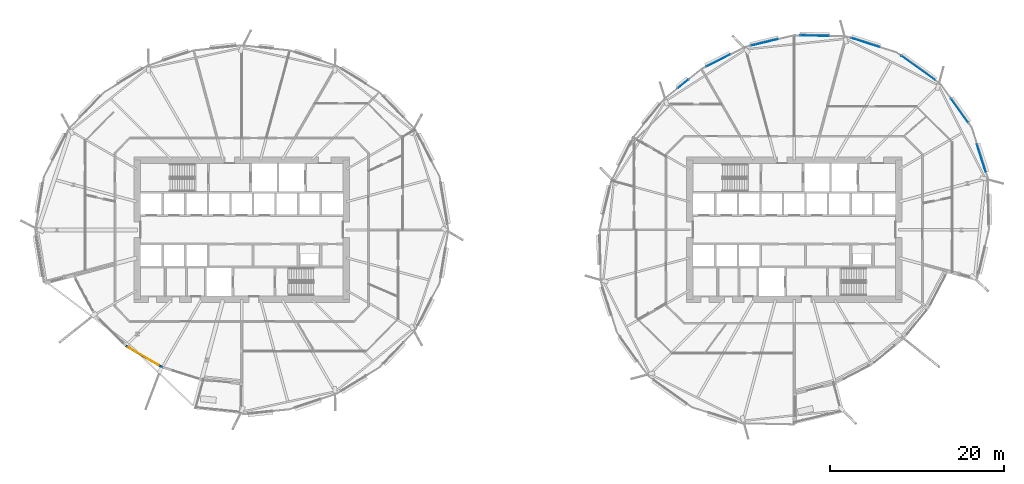
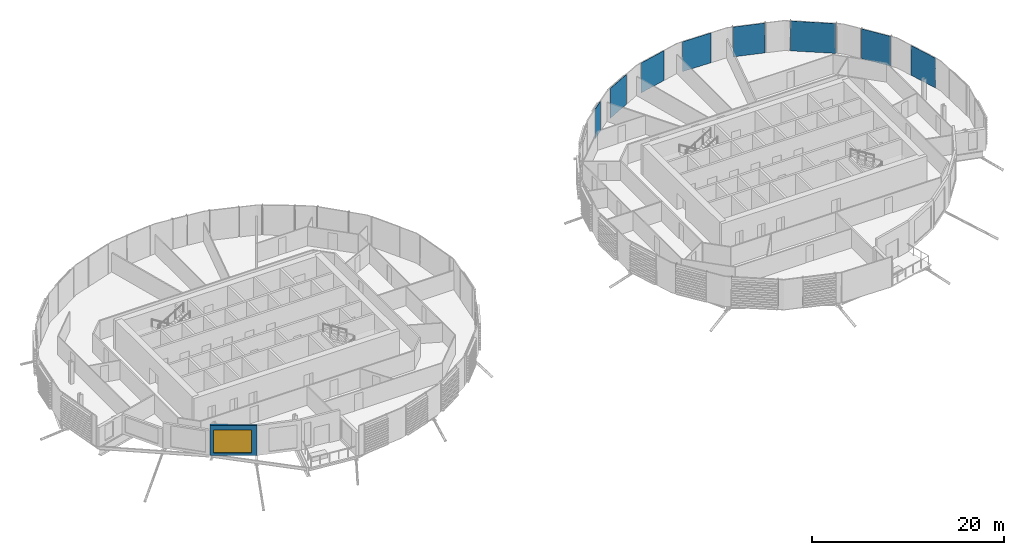
# One storey, part 21 of 43: 8 plates, 1 wall, 1 window, 1 opening, 1 element without a shape of its own.
"""IFC4 building model written with IfcOpenShell, lengths in metres."""

from ifc_helpers import new_model, si_unit, direction, frame, frame_2d, origin, origin_2d, place, context, subcontext, project, spatial, rectangle, extrude, material, layer, layer_set, type_object, element, fill, aggregate, save


model = new_model("IFC4")

# Units and contexts
model_context = context("Model", 3, precision=1e-05, world=origin(), true_north=direction((0.0, 1.0)))
body_context = subcontext(model_context, "Body", "Model", "MODEL_VIEW")
ifc_project = project(units=[si_unit("LENGTHUNIT", "METRE"), si_unit("AREAUNIT", "SQUARE_METRE"), si_unit("VOLUMEUNIT", "CUBIC_METRE"), si_unit("PLANEANGLEUNIT", "RADIAN"), si_unit("MASSUNIT", "GRAM", prefix="KILO")], contexts=[model_context])

# Site, building, storey
site_placement = place(None, origin())
site = spatial("IfcSite", under=ifc_project, at=site_placement, CompositionType="ELEMENT")
building_placement = place(site_placement, origin())
building = spatial("IfcBuilding", under=site, at=building_placement, Name="Rimbun Link Towers", CompositionType="ELEMENT")
storey_placement = place(building_placement, frame((0.0, 0.0, 81.60009765625)))
storey = spatial("IfcBuildingStorey", under=building, at=storey_placement, Name="L19", CompositionType="ELEMENT", Elevation=81.60009765625)

# Curtain wall, plates
ifc_material_1 = material(Name="Aluminium 6063-T6 and low-iron glass", Category="aluminium")
curtain_wall_type = type_object("IfcCurtainWallType", Name="CW1-Z2 unitised vision wall (zone 2)", PredefinedType="NOTDEFINED", material=ifc_material_1)
curtain_wall_placement = place(storey_placement, origin())
curtain_wall = element("IfcCurtainWall", 1, at=curtain_wall_placement, inside=storey, type_object=curtain_wall_type, Name="CW1 L19 T2", PredefinedType="NOTDEFINED")
ifc_material_2 = material(Name="Low-iron glass, laminated low-e unit", Category="glass")
ifc_layer_1 = layer(ifc_material_2, 0.028076171875)
ifc_layer_set_1 = layer_set([ifc_layer_1], Name="CW1 panel Low-iron glass 28")
plate_type = type_object("IfcPlateType", Name="CW1 panel Low-iron glass 28", PredefinedType="CURTAIN_PANEL", material=ifc_layer_set_1)
plate_1_placement = place(storey_placement, frame((45.995849609375, 18.5859375, 0.0), z_axis=(0.0, 0.0, 1.0), x_axis=(0.812469108412, -0.583004243446, 0.0)))
plate_1 = element("IfcPlate", 2, at=plate_1_placement, type_object=plate_type, Name="CW1 panel", PredefinedType="CURTAIN_PANEL", context=body_context, shape_type="SweptSolid", body=[
    extrude(rectangle(XDim=4.775634765625, YDim=0.028076171875, at=origin_2d()), origin(), (0.0, 0.0, 1.0), 3.800048828125),
])
plate_2_placement = place(storey_placement, frame((39.9384765625, 21.505615234375, 0.0), z_axis=(0.0, 0.0, 1.0), x_axis=(0.952968251743, -0.303070142328, 0.0)))
plate_2 = element("IfcPlate", 3, at=plate_2_placement, type_object=plate_type, Name="CW1 panel", PredefinedType="CURTAIN_PANEL", context=body_context, shape_type="SweptSolid", body=[
    extrude(rectangle(XDim=3.450439453125, YDim=0.028076171875, at=origin_2d()), origin(), (0.0, 0.0, 1.0), 3.800048828125),
])
plate_3_placement = place(storey_placement, frame((34.10009765625, 22.292724609375, 0.0), z_axis=(0.0, 0.0, 1.0), x_axis=(0.999778284552, -0.02105663171, 0.0)))
plate_3 = element("IfcPlate", 4, at=plate_3_placement, type_object=plate_type, Name="CW1 panel", PredefinedType="CURTAIN_PANEL", context=body_context, shape_type="SweptSolid", body=[
    extrude(rectangle(XDim=3.360595703125, YDim=0.028076171875, at=origin_2d()), origin(), (0.0, 0.0, 1.0), 3.800048828125),
])
plate_4_placement = place(storey_placement, frame((28.32763671875, 21.524169921875, 0.0), z_axis=(0.0, 0.0, 1.0), x_axis=(0.972576339867, 0.232583884072, 0.0)))
plate_4 = element("IfcPlate", 5, at=plate_4_placement, type_object=plate_type, Name="CW1 panel", PredefinedType="CURTAIN_PANEL", context=body_context, shape_type="SweptSolid", body=[
    extrude(rectangle(XDim=3.291259765625, YDim=0.028076171875, at=origin_2d()), origin(), (0.0, 0.0, 1.0), 3.800048828125),
])
plate_5_placement = place(storey_placement, frame((23.023681640625, 19.440673828125, 0.0), z_axis=(0.0, 0.0, 1.0), x_axis=(0.893637454336, 0.448789594585, 0.0)))
plate_5 = element("IfcPlate", 6, at=plate_5_placement, type_object=plate_type, Name="CW1 panel", PredefinedType="CURTAIN_PANEL", context=body_context, shape_type="SweptSolid", body=[
    extrude(rectangle(XDim=3.092041015625, YDim=0.028076171875, at=origin_2d()), origin(), (0.0, 0.0, 1.0), 3.800048828125),
])
plate_6_placement = place(storey_placement, frame((18.98828125, 16.76953125, 0.0), z_axis=(0.0, 0.0, 1.0), x_axis=(0.777276360608, 0.629159327388, 0.0)))
plate_6 = element("IfcPlate", 7, at=plate_6_placement, type_object=plate_type, Name="CW1 panel", PredefinedType="CURTAIN_PANEL", context=body_context, shape_type="SweptSolid", body=[
    extrude(rectangle(XDim=1.556396484375, YDim=0.028076171875, at=origin_2d()), origin(), (0.0, 0.0, 1.0), 3.800048828125),
])
plate_7_placement = place(storey_placement, frame((53.248046875, 8.212158203125, 0.0), z_axis=(0.0, 0.0, 1.0), x_axis=(0.303070142328, -0.952968251743, 0.0)))
plate_7 = element("IfcPlate", 8, at=plate_7_placement, type_object=plate_type, Name="CW1 panel", PredefinedType="CURTAIN_PANEL", context=body_context, shape_type="SweptSolid", body=[
    extrude(rectangle(XDim=3.400390625, YDim=0.028076171875, at=origin_2d()), origin(), (0.0, 0.0, 1.0), 3.800048828125),
])
plate_8_placement = place(storey_placement, frame((50.743896484375, 13.677001953125, 0.0), z_axis=(0.0, 0.0, 1.0), x_axis=(0.583004243446, -0.812469108412, 0.0)))
plate_8 = element("IfcPlate", 9, at=plate_8_placement, type_object=plate_type, Name="CW1 panel", PredefinedType="CURTAIN_PANEL", context=body_context, shape_type="SweptSolid", body=[
    extrude(rectangle(XDim=3.375732421875, YDim=0.028076171875, at=origin_2d()), origin(), (0.0, 0.0, 1.0), 3.800048828125),
])
aggregate(curtain_wall, [plate_1, plate_2, plate_3, plate_4, plate_5, plate_6, plate_7, plate_8])

# Wall, opening, window
ifc_material_3 = material(Name="Dark enamelled glass spandrel on insulated aluminium backpan", Category="aluminium")
ifc_layer_2 = layer(ifc_material_3, 0.25)
ifc_layer_set_2 = layer_set([ifc_layer_2], Name="CS dark enamelled spandrel wall 250")
wall_type = type_object("IfcWallType", Name="CS dark enamelled spandrel wall 250", PredefinedType="STANDARD", material=ifc_layer_set_2)
wall_placement = place(storey_placement, frame((-40.863037109375, -15.810791015625, 0.0), z_axis=(0.0, 0.0, 1.0), x_axis=(-0.862512671963, 0.506035463878, 0.0)))
wall = element("IfcWall", 10, at=wall_placement, inside=storey, type_object=wall_type, Name="Crease spandrel wall", PredefinedType="STANDARD", context=body_context, shape_type="SweptSolid", body=[
    extrude(rectangle(XDim=4.877685546875, YDim=0.25, at=frame_2d((2.43896484375, 0.0))), origin(), (0.0, 0.0, 1.0), 3.7998046875),
])
opening_placement = place(wall_placement, frame((0.534912109375, 0.0, 0.300048828125)))
opening = element("IfcOpeningElement", 11, at=opening_placement, cuts=wall, Name="Opening WR40H295", PredefinedType="OPENING", context=body_context, shape_type="SweptSolid", body=[
    extrude(rectangle(XDim=4.0, YDim=2.949951171875, at=frame_2d((2.0, 1.47509765625))), frame((0.0, 0.135009765625, 0.0), z_axis=(0.0, -1.0, 0.0), x_axis=(1.0, 0.0, 0.0)), (0.0, 0.0, 1.0), 0.27001953125),
])
ifc_material_4 = material(Name="Aluminium framed fixed window, dark tinted low-e glass", Category="aluminium")
window_type = type_object("IfcWindowType", Name="WR ribbon window 4000X2950", PartitioningType="SINGLE_PANEL", PredefinedType="WINDOW", material=ifc_material_4)
window_placement = place(opening_placement, origin())
window = element("IfcWindow", 12, at=window_placement, inside=storey, type_object=window_type, Name="Crease ribbon window", OverallHeight=2.949951171875, OverallWidth=4.0, PartitioningType="SINGLE_PANEL", PredefinedType="WINDOW", context=body_context, shape_type="SweptSolid", body=[
    extrude(rectangle(XDim=4.0, YDim=2.949951171875, at=frame_2d((2.0, 1.47509765625))), frame((0.0, 0.030029296875, 0.0), z_axis=(0.0, -1.0, 0.0), x_axis=(1.0, 0.0, 0.0)), (0.0, 0.0, 1.0), 0.06005859375),
])
fill(opening, window)

save(model, "model.ifc")
